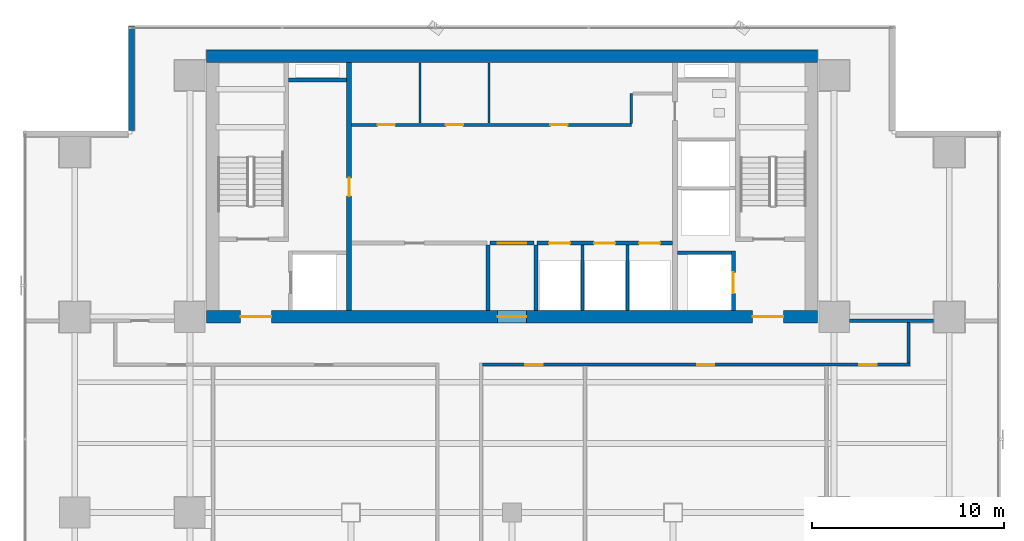
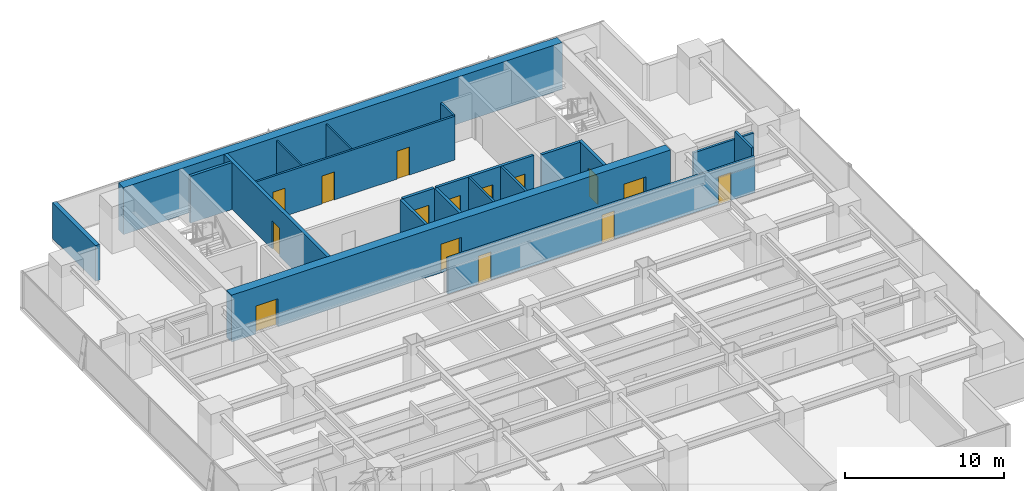
# One storey, part 27 of 34: 20 walls, 15 doors, 15 openings.
"""IFC4 building model written with IfcOpenShell, lengths in metres."""

from ifc_helpers import new_model, si_unit, direction, frame, frame_2d, origin, place, context, subcontext, project, spatial, rectangle, extrude, source, transform, mapped, material, layer, layer_set, type_object, element, fill, save


model = new_model("IFC4")

# Units and contexts
model_context = context("Model", 3, precision=1e-05, world=origin(), true_north=direction((0.0, 1.0)))
body_context = subcontext(model_context, "Body", "Model", "MODEL_VIEW")
ifc_project = project(units=[si_unit("LENGTHUNIT", "METRE"), si_unit("AREAUNIT", "SQUARE_METRE"), si_unit("VOLUMEUNIT", "CUBIC_METRE"), si_unit("PLANEANGLEUNIT", "RADIAN"), si_unit("MASSUNIT", "GRAM", prefix="KILO")], contexts=[model_context])

# Site, building, storey
site_placement = place(None, origin())
site = spatial("IfcSite", under=ifc_project, at=site_placement, CompositionType="ELEMENT")
building_placement = place(site_placement, origin())
building = spatial("IfcBuilding", under=site, at=building_placement, Name="Sumidabori Civic Tower", CompositionType="ELEMENT")
storey_placement = place(building_placement, frame((0.0, 0.0, 106.39990234375)))
storey = spatial("IfcBuildingStorey", under=building, at=storey_placement, Name="L27", CompositionType="ELEMENT", Elevation=106.39990234375)

# Walls
ifc_material_1 = material(Name="Concrete C50/60", Category="concrete")
ifc_layer_1 = layer(ifc_material_1, 0.199951171875, Name="Concrete C50/60")
ifc_layer_set_1 = layer_set([ifc_layer_1], Name="Concrete C50/60")
wall_type_1 = type_object("IfcWallType", Name="WL-SHAFT-200", PredefinedType="SHEAR", material=ifc_layer_set_1)
shared_shape_1 = source(origin(), body_context, "Body", "SweptSolid", [
    extrude(rectangle(XDim=2.824951171875, YDim=0.199951171875, at=frame_2d((1.41259765625, 0.0))), origin(), (0.0, 0.0, 1.0), 3.60009765625),
])
wall_1_placement = place(storey_placement, frame((8.625, 13.550048828125, 0.0), z_axis=(0.0, 0.0, 1.0), x_axis=(1.0, 0.0, 0.0)))
element("IfcWall", 1, at=wall_1_placement, inside=storey, type_object=wall_type_1, Name="Core Shear Wall L27 EL2-N", PredefinedType="SHEAR", context=body_context, shape_type="MappedRepresentation", body=[
    mapped(shared_shape_1, transform((0.0, 0.0, 0.0), x_axis=(1.0, 0.0, 0.0), y_axis=(0.0, 1.0, 0.0), z_axis=(0.0, 0.0, 1.0), scale=1.0)),
])
shared_shape_2 = source(origin(), body_context, "Body", "SweptSolid", [
    extrude(rectangle(XDim=3.02001953125, YDim=0.199951171875, at=frame_2d((1.510009765625, 0.0))), origin(), (0.0, 0.0, 1.0), 3.60009765625),
])
wall_2_placement = place(storey_placement, frame((-11.64501953125, 22.550048828125, 0.0), z_axis=(0.0, 0.0, 1.0), x_axis=(1.0, 0.0, 0.0)))
element("IfcWall", 2, at=wall_2_placement, inside=storey, type_object=wall_type_1, Name="Core Shear Wall L27 RIS1-S", PredefinedType="SHEAR", context=body_context, shape_type="MappedRepresentation", body=[
    mapped(shared_shape_2, transform((0.0, 0.0, 0.0), x_axis=(1.0, 0.0, 0.0), y_axis=(0.0, 1.0, 0.0), z_axis=(0.0, 0.0, 1.0), scale=1.0)),
])
ifc_material_2 = material(Name="Concrete C60/75", Category="concrete")
ifc_layer_2 = layer(ifc_material_2, 0.64990234375, Name="Concrete C60/75")
ifc_layer_set_2 = layer_set([ifc_layer_2], Name="Concrete C60/75")
wall_type_2 = type_object("IfcWallType", Name="WL-CORE-650", PredefinedType="SHEAR", material=ifc_layer_set_2)
shared_shape_3 = source(origin(), body_context, "Body", "SweptSolid", [
    extrude(rectangle(XDim=31.85009765625, YDim=0.64990234375, at=frame_2d((15.925048828125, 0.0))), origin(), (0.0, 0.0, 1.0), 3.60009765625),
])
wall_3_placement = place(storey_placement, frame((-15.925048828125, 23.800048828125, 0.0), z_axis=(0.0, 0.0, 1.0), x_axis=(1.0, 0.0, 0.0)))
element("IfcWall", 3, at=wall_3_placement, inside=storey, type_object=wall_type_2, Name="Core Shear Wall L27 N", PredefinedType="SHEAR", context=body_context, shape_type="MappedRepresentation", body=[
    mapped(shared_shape_3, transform((0.0, 0.0, 0.0), x_axis=(1.0, 0.0, 0.0), y_axis=(0.0, 1.0, 0.0), z_axis=(0.0, 0.0, 1.0), scale=1.0)),
])

# Wall, openings, doors
wall_4_placement = place(storey_placement, frame((-15.925048828125, 10.199951171875, 0.0), z_axis=(0.0, 0.0, 1.0), x_axis=(1.0, 0.0, 0.0)))
wall_4 = element("IfcWall", 4, at=wall_4_placement, inside=storey, type_object=wall_type_2, Name="Core Shear Wall L27 S", PredefinedType="SHEAR", context=body_context, shape_type="MappedRepresentation", body=[
    mapped(shared_shape_3, transform((0.0, 0.0, 0.0), x_axis=(1.0, 0.0, 0.0), y_axis=(0.0, 1.0, 0.0), z_axis=(0.0, 0.0, 1.0), scale=1.0)),
])
opening_1_placement = place(wall_4_placement, frame((1.77490234375, 0.0, 0.0)))
opening_1 = element("IfcOpeningElement", 5, at=opening_1_placement, cuts=wall_4, Name="Opening DR-FD4", PredefinedType="OPENING", context=body_context, shape_type="SweptSolid", body=[
    extrude(rectangle(XDim=1.60009765625, YDim=2.14990234375, at=frame_2d((0.800048828125, 1.074951171875))), frame((0.0, 0.3369140625, 0.0), z_axis=(0.0, -1.0, 0.0), x_axis=(1.0, 0.0, 0.0)), (0.0, 0.0, 1.0), 0.673828125),
])
opening_2_placement = place(wall_4_placement, frame((28.47509765625, 0.0, 0.0)))
opening_2 = element("IfcOpeningElement", 6, at=opening_2_placement, cuts=wall_4, Name="Opening DR-FD4", PredefinedType="OPENING", context=body_context, shape_type="SweptSolid", body=[
    extrude(rectangle(XDim=1.60009765625, YDim=2.14990234375, at=frame_2d((0.800048828125, 1.074951171875))), frame((0.0, 0.3369140625, 0.0), z_axis=(0.0, -1.0, 0.0), x_axis=(1.0, 0.0, 0.0)), (0.0, 0.0, 1.0), 0.673828125),
])
opening_3_placement = place(wall_4_placement, frame((15.175048828125, 0.0, 0.0)))
opening_3 = element("IfcOpeningElement", 7, at=opening_3_placement, cuts=wall_4, Name="Opening DR-FD3", PredefinedType="OPENING", context=body_context, shape_type="SweptSolid", body=[
    extrude(rectangle(XDim=1.5, YDim=2.199951171875, at=frame_2d((0.75, 1.10009765625))), frame((0.0, 0.3369140625, 0.0), z_axis=(0.0, -1.0, 0.0), x_axis=(1.0, 0.0, 0.0)), (0.0, 0.0, 1.0), 0.673828125),
])
ifc_material_3 = material(Name="Steel SN490", Category="steel")
door_type_1 = type_object("IfcDoorType", Name="DR-FD4", OperationType="DOUBLE_DOOR_SINGLE_SWING", PredefinedType="DOOR", material=ifc_material_3)
shared_shape_4 = source(origin(), body_context, "Body", "SweptSolid", [
    extrude(rectangle(XDim=1.60009765625, YDim=2.14990234375, at=frame_2d((0.800048828125, 1.074951171875))), frame((0.0, 0.02490234375, 0.0), z_axis=(0.0, -1.0, 0.0), x_axis=(1.0, 0.0, 0.0)), (0.0, 0.0, 1.0), 0.050048828125),
])
door_1_placement = place(opening_1_placement, origin())
door_1 = element("IfcDoor", 8, at=door_1_placement, inside=storey, type_object=door_type_1, Name="Door DR:L27:ELOB-W", OperationType="DOUBLE_DOOR_SINGLE_SWING", OverallHeight=2.14990234375, OverallWidth=1.60009765625, PredefinedType="DOOR", context=body_context, shape_type="MappedRepresentation", body=[
    mapped(shared_shape_4, transform((0.0, 0.0, 0.0), x_axis=(1.0, 0.0, 0.0), y_axis=(0.0, 1.0, 0.0), z_axis=(0.0, 0.0, 1.0), scale=1.0)),
])
fill(opening_1, door_1)
door_2_placement = place(opening_2_placement, origin())
door_2 = element("IfcDoor", 9, at=door_2_placement, inside=storey, type_object=door_type_1, Name="Door DR:L27:ELOB-E", OperationType="DOUBLE_DOOR_SINGLE_SWING", OverallHeight=2.14990234375, OverallWidth=1.60009765625, PredefinedType="DOOR", context=body_context, shape_type="MappedRepresentation", body=[
    mapped(shared_shape_4, transform((0.0, 0.0, 0.0), x_axis=(1.0, 0.0, 0.0), y_axis=(0.0, 1.0, 0.0), z_axis=(0.0, 0.0, 1.0), scale=1.0)),
])
fill(opening_2, door_2)
door_type_2 = type_object("IfcDoorType", Name="DR-FD-DBL", OperationType="DOUBLE_DOOR_SINGLE_SWING", PredefinedType="DOOR", material=ifc_material_3)
shared_shape_5 = source(origin(), body_context, "Body", "SweptSolid", [
    extrude(rectangle(XDim=1.5, YDim=2.199951171875, at=frame_2d((0.75, 1.10009765625))), frame((0.0, 0.02490234375, 0.0), z_axis=(0.0, -1.0, 0.0), x_axis=(1.0, 0.0, 0.0)), (0.0, 0.0, 1.0), 0.050048828125),
])
door_3_placement = place(opening_3_placement, origin())
door_3 = element("IfcDoor", 10, at=door_3_placement, inside=storey, type_object=door_type_2, Name="Door DR:L27:THROAT-OUT", OperationType="DOUBLE_DOOR_SINGLE_SWING", OverallHeight=2.199951171875, OverallWidth=1.5, PredefinedType="DOOR", context=body_context, shape_type="MappedRepresentation", body=[
    mapped(shared_shape_5, transform((0.0, 0.0, 0.0), x_axis=(1.0, 0.0, 0.0), y_axis=(0.0, 1.0, 0.0), z_axis=(0.0, 0.0, 1.0), scale=1.0)),
])
fill(opening_3, door_3)

# Wall, opening, door
ifc_layer_3 = layer(ifc_material_1, 0.25, Name="Concrete C50/60")
ifc_layer_set_3 = layer_set([ifc_layer_3], Name="Concrete C50/60")
wall_type_3 = type_object("IfcWallType", Name="WL-SHAFT-250", PredefinedType="SHEAR", material=ifc_layer_set_3)
shared_shape_6 = source(origin(), body_context, "Body", "SweptSolid", [
    extrude(rectangle(XDim=12.9501953125, YDim=0.25, at=frame_2d((6.47509765625, 0.0))), origin(), (0.0, 0.0, 1.0), 3.60009765625),
])
wall_5_placement = place(storey_placement, frame((-8.5, 10.52490234375, 0.0), z_axis=(0.0, 0.0, 1.0), x_axis=(0.0, 1.0, 0.0)))
wall_5 = element("IfcWall", 11, at=wall_5_placement, inside=storey, type_object=wall_type_3, Name="Core Shear Wall L27 WEB-W", PredefinedType="SHEAR", context=body_context, shape_type="MappedRepresentation", body=[
    mapped(shared_shape_6, transform((0.0, 0.0, 0.0), x_axis=(1.0, 0.0, 0.0), y_axis=(0.0, 1.0, 0.0), z_axis=(0.0, 0.0, 1.0), scale=1.0)),
])
opening_4_placement = place(wall_5_placement, frame((5.97509765625, 0.0, 0.0)))
opening_4 = element("IfcOpeningElement", 12, at=opening_4_placement, cuts=wall_5, Name="Opening DR-FD2", PredefinedType="OPENING", context=body_context, shape_type="SweptSolid", body=[
    extrude(rectangle(XDim=0.949951171875, YDim=2.14990234375, at=frame_2d((0.47509765625, 1.074951171875))), frame((0.0, 0.136962890625, 0.0), z_axis=(0.0, -1.0, 0.0), x_axis=(1.0, 0.0, 0.0)), (0.0, 0.0, 1.0), 0.27392578125),
])
door_type_3 = type_object("IfcDoorType", Name="DR-FD2", OperationType="NOTDEFINED", PredefinedType="DOOR", material=ifc_material_3)
shared_shape_7 = source(origin(), body_context, "Body", "SweptSolid", [
    extrude(rectangle(XDim=0.949951171875, YDim=2.14990234375, at=frame_2d((0.47509765625, 1.074951171875))), frame((0.0, 0.02490234375, 0.0), z_axis=(0.0, -1.0, 0.0), x_axis=(1.0, 0.0, 0.0)), (0.0, 0.0, 1.0), 0.050048828125),
])
door_4_placement = place(opening_4_placement, origin())
door_4 = element("IfcDoor", 13, at=door_4_placement, inside=storey, type_object=door_type_3, Name="Door DR:L27:CW-STR", OperationType="SINGLE_SWING_LEFT", OverallHeight=2.14990234375, OverallWidth=0.949951171875, PredefinedType="DOOR", context=body_context, shape_type="MappedRepresentation", body=[
    mapped(shared_shape_7, transform((0.0, 0.0, 0.0), x_axis=(1.0, 0.0, 0.0), y_axis=(0.0, 1.0, 0.0), z_axis=(0.0, 0.0, 1.0), scale=1.0)),
])
fill(opening_4, door_4)

shared_shape_8 = source(origin(), body_context, "Body", "SweptSolid", [
    extrude(rectangle(XDim=3.125, YDim=0.199951171875, at=frame_2d((1.5625, 0.0))), origin(), (0.0, 0.0, 1.0), 3.60009765625),
])
wall_6_placement = place(storey_placement, frame((11.550048828125, 10.52490234375, 0.0), z_axis=(0.0, 0.0, 1.0), x_axis=(0.0, 1.0, 0.0)))
wall_6 = element("IfcWall", 14, at=wall_6_placement, inside=storey, type_object=wall_type_1, Name="Core Shear Wall L27 EL2-E", PredefinedType="SHEAR", context=body_context, shape_type="MappedRepresentation", body=[
    mapped(shared_shape_8, transform((0.0, 0.0, 0.0), x_axis=(1.0, 0.0, 0.0), y_axis=(0.0, 1.0, 0.0), z_axis=(0.0, 0.0, 1.0), scale=1.0)),
])
opening_5_placement = place(wall_6_placement, frame((0.89990234375, 0.0, 0.0)))
opening_5 = element("IfcOpeningElement", 15, at=opening_5_placement, cuts=wall_6, Name="Opening LD-2", PredefinedType="OPENING", context=body_context, shape_type="SweptSolid", body=[
    extrude(rectangle(XDim=1.10009765625, YDim=2.14990234375, at=frame_2d((0.550048828125, 1.074951171875))), frame((0.0, 0.11181640625, 0.0), z_axis=(0.0, -1.0, 0.0), x_axis=(1.0, 0.0, 0.0)), (0.0, 0.0, 1.0), 0.223876953125),
])
ifc_material_4 = material(Name="Stainless Steel Hairline Finish", Category="steel")
door_type_4 = type_object("IfcDoorType", Name="DR-LD2", OperationType="DOUBLE_DOOR_SLIDING", PredefinedType="DOOR", material=ifc_material_4)
shared_shape_9 = source(origin(), body_context, "Body", "SweptSolid", [
    extrude(rectangle(XDim=1.10009765625, YDim=2.14990234375, at=frame_2d((0.550048828125, 1.074951171875))), frame((0.0, 0.02490234375, 0.0), z_axis=(0.0, -1.0, 0.0), x_axis=(1.0, 0.0, 0.0)), (0.0, 0.0, 1.0), 0.050048828125),
])
door_5_placement = place(opening_5_placement, origin())
door_5 = element("IfcDoor", 16, at=door_5_placement, inside=storey, type_object=door_type_4, Name="Door DR:L27:LD-EL2", OperationType="DOUBLE_DOOR_SLIDING", OverallHeight=2.14990234375, OverallWidth=1.10009765625, PredefinedType="DOOR", context=body_context, shape_type="MappedRepresentation", body=[
    mapped(shared_shape_9, transform((0.0, 0.0, 0.0), x_axis=(1.0, 0.0, 0.0), y_axis=(0.0, 1.0, 0.0), z_axis=(0.0, 0.0, 1.0), scale=1.0)),
])
fill(opening_5, door_5)

# Wall
ifc_material_5 = material(Name="Precast concrete C40/50", Category="concrete")
ifc_layer_4 = layer(ifc_material_5, 0.300048828125, Name="Precast concrete C40/50")
ifc_layer_set_4 = layer_set([ifc_layer_4], Name="Precast concrete C40/50")
wall_type_4 = type_object("IfcWallType", Name="WL-EXT-POD300", PredefinedType="STANDARD", material=ifc_layer_set_4)
shared_shape_10 = source(origin(), body_context, "Body", "SweptSolid", [
    extrude(rectangle(XDim=5.4599609375, YDim=0.300048828125, at=frame_2d((2.72998046875, 0.0))), origin(), (0.0, 0.0, 1.0), 2.739990234375),
])
wall_7_placement = place(storey_placement, frame((-19.85009765625, 25.3798828125, 0.0), z_axis=(0.0, 0.0, 1.0), x_axis=(0.0, -1.0, 0.0)))
element("IfcWall", 17, at=wall_7_placement, inside=storey, type_object=wall_type_4, Name="Notched Corner Spandrel Band L27-08", PredefinedType="STANDARD", context=body_context, shape_type="MappedRepresentation", body=[
    mapped(shared_shape_10, transform((0.0, 0.0, 0.0), x_axis=(1.0, 0.0, 0.0), y_axis=(0.0, 1.0, 0.0), z_axis=(0.0, 0.0, 1.0), scale=1.0)),
])

# Wall, openings, doors
ifc_material_6 = material(Name="Gypsum Plasterboard Fire Partition")
ifc_layer_5 = layer(ifc_material_6, 0.199951171875, Name="Gypsum Plasterboard Fire Partition")
ifc_layer_set_5 = layer_set([ifc_layer_5], Name="Gypsum Plasterboard Fire Partition")
wall_type_5 = type_object("IfcWallType", Name="WL-PART-FIRE", PredefinedType="PARTITIONING", material=ifc_layer_set_5)
shared_shape_11 = source(origin(), body_context, "Body", "SweptSolid", [
    extrude(rectangle(XDim=7.070068359375, YDim=0.199951171875, at=frame_2d((3.53515625, 0.0))), origin(), (0.0, 0.0, 1.0), 3.360107421875),
])
wall_8_placement = place(storey_placement, frame((1.300048828125, 14.050048828125, 0.0), z_axis=(0.0, 0.0, 1.0), x_axis=(1.0, 0.0, 0.0)))
wall_8 = element("IfcWall", 18, at=wall_8_placement, inside=storey, type_object=wall_type_5, Name="Interior Partition WL:L27:CBAND-SE", PredefinedType="PARTITIONING", context=body_context, shape_type="MappedRepresentation", body=[
    mapped(shared_shape_11, transform((0.0, 0.0, 0.0), x_axis=(1.0, 0.0, 0.0), y_axis=(0.0, 1.0, 0.0), z_axis=(0.0, 0.0, 1.0), scale=1.0)),
])
opening_6_placement = place(wall_8_placement, frame((0.6298828125, 0.0, 0.0)))
opening_6 = element("IfcOpeningElement", 19, at=opening_6_placement, cuts=wall_8, Name="Opening LD-1", PredefinedType="OPENING", context=body_context, shape_type="SweptSolid", body=[
    extrude(rectangle(XDim=1.10009765625, YDim=2.14990234375, at=frame_2d((0.550048828125, 1.074951171875))), frame((0.0, 0.11181640625, 0.0), z_axis=(0.0, -1.0, 0.0), x_axis=(1.0, 0.0, 0.0)), (0.0, 0.0, 1.0), 0.223876953125),
])
opening_7_placement = place(wall_8_placement, frame((2.97998046875, 0.0, 0.0)))
opening_7 = element("IfcOpeningElement", 20, at=opening_7_placement, cuts=wall_8, Name="Opening LD-1", PredefinedType="OPENING", context=body_context, shape_type="SweptSolid", body=[
    extrude(rectangle(XDim=1.10009765625, YDim=2.14990234375, at=frame_2d((0.550048828125, 1.074951171875))), frame((0.0, 0.11181640625, 0.0), z_axis=(0.0, -1.0, 0.0), x_axis=(1.0, 0.0, 0.0)), (0.0, 0.0, 1.0), 0.223876953125),
])
opening_8_placement = place(wall_8_placement, frame((5.330078125, 0.0, 0.0)))
opening_8 = element("IfcOpeningElement", 21, at=opening_8_placement, cuts=wall_8, Name="Opening LD-1", PredefinedType="OPENING", context=body_context, shape_type="SweptSolid", body=[
    extrude(rectangle(XDim=1.10009765625, YDim=2.14990234375, at=frame_2d((0.550048828125, 1.074951171875))), frame((0.0, 0.11181640625, 0.0), z_axis=(0.0, -1.0, 0.0), x_axis=(1.0, 0.0, 0.0)), (0.0, 0.0, 1.0), 0.223876953125),
])
door_type_5 = type_object("IfcDoorType", Name="DR-LD1", OperationType="DOUBLE_DOOR_SLIDING", PredefinedType="DOOR", material=ifc_material_4)
door_6_placement = place(opening_6_placement, origin())
door_6 = element("IfcDoor", 22, at=door_6_placement, inside=storey, type_object=door_type_5, Name="Door DR:L27:LD-PLM1", OperationType="DOUBLE_DOOR_SLIDING", OverallHeight=2.14990234375, OverallWidth=1.10009765625, PredefinedType="DOOR", context=body_context, shape_type="MappedRepresentation", body=[
    mapped(shared_shape_9, transform((0.0, 0.0, 0.0), x_axis=(1.0, 0.0, 0.0), y_axis=(0.0, 1.0, 0.0), z_axis=(0.0, 0.0, 1.0), scale=1.0)),
])
fill(opening_6, door_6)
door_7_placement = place(opening_7_placement, origin())
door_7 = element("IfcDoor", 23, at=door_7_placement, inside=storey, type_object=door_type_5, Name="Door DR:L27:LD-PLM2", OperationType="DOUBLE_DOOR_SLIDING", OverallHeight=2.14990234375, OverallWidth=1.10009765625, PredefinedType="DOOR", context=body_context, shape_type="MappedRepresentation", body=[
    mapped(shared_shape_9, transform((0.0, 0.0, 0.0), x_axis=(1.0, 0.0, 0.0), y_axis=(0.0, 1.0, 0.0), z_axis=(0.0, 0.0, 1.0), scale=1.0)),
])
fill(opening_7, door_7)
door_8_placement = place(opening_8_placement, origin())
door_8 = element("IfcDoor", 24, at=door_8_placement, inside=storey, type_object=door_type_5, Name="Door DR:L27:LD-PLM3", OperationType="DOUBLE_DOOR_SLIDING", OverallHeight=2.14990234375, OverallWidth=1.10009765625, PredefinedType="DOOR", context=body_context, shape_type="MappedRepresentation", body=[
    mapped(shared_shape_9, transform((0.0, 0.0, 0.0), x_axis=(1.0, 0.0, 0.0), y_axis=(0.0, 1.0, 0.0), z_axis=(0.0, 0.0, 1.0), scale=1.0)),
])
fill(opening_8, door_8)

# Wall, opening, door
shared_shape_12 = source(origin(), body_context, "Body", "SweptSolid", [
    extrude(rectangle(XDim=2.2998046875, YDim=0.199951171875, at=frame_2d((1.14990234375, 0.0))), origin(), (0.0, 0.0, 1.0), 3.360107421875),
])
wall_9_placement = place(storey_placement, frame((-1.14990234375, 14.050048828125, 0.0), z_axis=(0.0, 0.0, 1.0), x_axis=(1.0, 0.0, 0.0)))
wall_9 = element("IfcWall", 25, at=wall_9_placement, inside=storey, type_object=wall_type_5, Name="Interior Partition WL:L27:THROAT-N", PredefinedType="PARTITIONING", context=body_context, shape_type="MappedRepresentation", body=[
    mapped(shared_shape_12, transform((0.0, 0.0, 0.0), x_axis=(1.0, 0.0, 0.0), y_axis=(0.0, 1.0, 0.0), z_axis=(0.0, 0.0, 1.0), scale=1.0)),
])
opening_9_placement = place(wall_9_placement, frame((0.39990234375, 0.0, 0.0)))
opening_9 = element("IfcOpeningElement", 26, at=opening_9_placement, cuts=wall_9, Name="Opening DR-FD3", PredefinedType="OPENING", context=body_context, shape_type="SweptSolid", body=[
    extrude(rectangle(XDim=1.5, YDim=2.199951171875, at=frame_2d((0.75, 1.10009765625))), frame((0.0, 0.11181640625, 0.0), z_axis=(0.0, -1.0, 0.0), x_axis=(1.0, 0.0, 0.0)), (0.0, 0.0, 1.0), 0.223876953125),
])
door_9_placement = place(opening_9_placement, origin())
door_9 = element("IfcDoor", 27, at=door_9_placement, inside=storey, type_object=door_type_2, Name="Door DR:L27:THROAT-IN", OperationType="DOUBLE_DOOR_SINGLE_SWING", OverallHeight=2.199951171875, OverallWidth=1.5, PredefinedType="DOOR", context=body_context, shape_type="MappedRepresentation", body=[
    mapped(shared_shape_5, transform((0.0, 0.0, 0.0), x_axis=(1.0, 0.0, 0.0), y_axis=(0.0, 1.0, 0.0), z_axis=(0.0, 0.0, 1.0), scale=1.0)),
])
fill(opening_9, door_9)

# Wall, openings, doors
ifc_material_7 = material(Name="Gypsum Plasterboard Acoustic Partition")
ifc_layer_6 = layer(ifc_material_7, 0.14990234375, Name="Gypsum Plasterboard Acoustic Partition")
ifc_layer_set_6 = layer_set([ifc_layer_6], Name="Gypsum Plasterboard Acoustic Partition")
wall_type_6 = type_object("IfcWallType", Name="WL-PART-150", PredefinedType="PARTITIONING", material=ifc_layer_set_6)
shared_shape_13 = source(origin(), body_context, "Body", "SweptSolid", [
    extrude(rectangle(XDim=14.590087890625, YDim=0.14990234375, at=frame_2d((7.294921875, 0.0))), origin(), (0.0, 0.0, 1.0), 3.360107421875),
])
wall_10_placement = place(storey_placement, frame((-8.3701171875, 20.219970703125, 0.0), z_axis=(0.0, 0.0, 1.0), x_axis=(1.0, 0.0, 0.0)))
wall_10 = element("IfcWall", 28, at=wall_10_placement, inside=storey, type_object=wall_type_6, Name="Interior Partition WL:L27:CBAND-M", PredefinedType="PARTITIONING", context=body_context, shape_type="MappedRepresentation", body=[
    mapped(shared_shape_13, transform((0.0, 0.0, 0.0), x_axis=(1.0, 0.0, 0.0), y_axis=(0.0, 1.0, 0.0), z_axis=(0.0, 0.0, 1.0), scale=1.0)),
])
opening_10_placement = place(wall_10_placement, frame((1.360107421875, 0.0, 0.0)))
opening_10 = element("IfcOpeningElement", 29, at=opening_10_placement, cuts=wall_10, Name="Opening DR-1", PredefinedType="OPENING", context=body_context, shape_type="SweptSolid", body=[
    extrude(rectangle(XDim=0.89990234375, YDim=2.14990234375, at=frame_2d((0.449951171875, 1.074951171875))), frame((0.0, 0.0869140625, 0.0), z_axis=(0.0, -1.0, 0.0), x_axis=(1.0, 0.0, 0.0)), (0.0, 0.0, 1.0), 0.173828125),
])
opening_11_placement = place(wall_10_placement, frame((4.919921875, 0.0, 0.0)))
opening_11 = element("IfcOpeningElement", 30, at=opening_11_placement, cuts=wall_10, Name="Opening DR-1", PredefinedType="OPENING", context=body_context, shape_type="SweptSolid", body=[
    extrude(rectangle(XDim=0.89990234375, YDim=2.14990234375, at=frame_2d((0.449951171875, 1.074951171875))), frame((0.0, 0.0869140625, 0.0), z_axis=(0.0, -1.0, 0.0), x_axis=(1.0, 0.0, 0.0)), (0.0, 0.0, 1.0), 0.173828125),
])
opening_12_placement = place(wall_10_placement, frame((10.3701171875, 0.0, 0.0)))
opening_12 = element("IfcOpeningElement", 31, at=opening_12_placement, cuts=wall_10, Name="Opening DR-1", PredefinedType="OPENING", context=body_context, shape_type="SweptSolid", body=[
    extrude(rectangle(XDim=0.89990234375, YDim=2.14990234375, at=frame_2d((0.449951171875, 1.074951171875))), frame((0.0, 0.0869140625, 0.0), z_axis=(0.0, -1.0, 0.0), x_axis=(1.0, 0.0, 0.0)), (0.0, 0.0, 1.0), 0.173828125),
])
ifc_material_8 = material(Name="Japanese Hinoki Timber", Category="wood")
door_type_6 = type_object("IfcDoorType", Name="DR-INT-900", OperationType="NOTDEFINED", PredefinedType="DOOR", material=ifc_material_8)
shared_shape_14 = source(origin(), body_context, "Body", "SweptSolid", [
    extrude(rectangle(XDim=0.89990234375, YDim=2.14990234375, at=frame_2d((0.449951171875, 1.074951171875))), frame((0.0, 0.02490234375, 0.0), z_axis=(0.0, -1.0, 0.0), x_axis=(1.0, 0.0, 0.0)), (0.0, 0.0, 1.0), 0.050048828125),
])
door_10_placement = place(opening_10_placement, origin())
door_10 = element("IfcDoor", 32, at=door_10_placement, inside=storey, type_object=door_type_6, Name="Door DR:L27:CB-1", OperationType="SINGLE_SWING_LEFT", OverallHeight=2.14990234375, OverallWidth=0.89990234375, PredefinedType="DOOR", context=body_context, shape_type="MappedRepresentation", body=[
    mapped(shared_shape_14, transform((0.0, 0.0, 0.0), x_axis=(1.0, 0.0, 0.0), y_axis=(0.0, 1.0, 0.0), z_axis=(0.0, 0.0, 1.0), scale=1.0)),
])
fill(opening_10, door_10)
door_11_placement = place(opening_11_placement, origin())
door_11 = element("IfcDoor", 33, at=door_11_placement, inside=storey, type_object=door_type_6, Name="Door DR:L27:CB-2", OperationType="SINGLE_SWING_RIGHT", OverallHeight=2.14990234375, OverallWidth=0.89990234375, PredefinedType="DOOR", context=body_context, shape_type="MappedRepresentation", body=[
    mapped(shared_shape_14, transform((0.0, 0.0, 0.0), x_axis=(1.0, 0.0, 0.0), y_axis=(0.0, 1.0, 0.0), z_axis=(0.0, 0.0, 1.0), scale=1.0)),
])
fill(opening_11, door_11)
door_12_placement = place(opening_12_placement, origin())
door_12 = element("IfcDoor", 34, at=door_12_placement, inside=storey, type_object=door_type_6, Name="Door DR:L27:CB-3", OperationType="SINGLE_SWING_LEFT", OverallHeight=2.14990234375, OverallWidth=0.89990234375, PredefinedType="DOOR", context=body_context, shape_type="MappedRepresentation", body=[
    mapped(shared_shape_14, transform((0.0, 0.0, 0.0), x_axis=(1.0, 0.0, 0.0), y_axis=(0.0, 1.0, 0.0), z_axis=(0.0, 0.0, 1.0), scale=1.0)),
])
fill(opening_12, door_12)

# Walls
shared_shape_15 = source(origin(), body_context, "Body", "SweptSolid", [
    extrude(rectangle(XDim=1.550048828125, YDim=0.14990234375, at=frame_2d((0.77490234375, 0.0))), origin(), (0.0, 0.0, 1.0), 3.360107421875),
])
wall_11_placement = place(storey_placement, frame((6.219970703125, 20.300048828125, 0.0), z_axis=(0.0, 0.0, 1.0), x_axis=(0.0, 1.0, 0.0)))
element("IfcWall", 35, at=wall_11_placement, inside=storey, type_object=wall_type_6, Name="Interior Partition WL:L27:CBAND-ME1", PredefinedType="PARTITIONING", context=body_context, shape_type="MappedRepresentation", body=[
    mapped(shared_shape_15, transform((0.0, 0.0, 0.0), x_axis=(1.0, 0.0, 0.0), y_axis=(0.0, 1.0, 0.0), z_axis=(0.0, 0.0, 1.0), scale=1.0)),
])
shared_shape_16 = source(origin(), body_context, "Body", "SweptSolid", [
    extrude(rectangle(XDim=3.4150390625, YDim=0.199951171875, at=frame_2d((1.70751953125, 0.0))), origin(), (0.0, 0.0, 1.0), 3.360107421875),
])
for number, where, z_axis, x_axis, name in (
    (36, (-1.25, 10.52490234375, 0.0), (0.0, 0.0, 1.0), (0.0, 1.0, 0.0), "Interior Partition WL:L27:THROAT-W"),
    (37, (1.25, 10.52490234375, 0.0), (0.0, 0.0, 1.0), (0.0, 1.0, 0.0), "Interior Partition WL:L27:THROAT-E"),
):
    element("IfcWall", number, at=place(storey_placement, frame(where, z_axis=z_axis, x_axis=x_axis)), inside=storey, type_object=wall_type_5, Name=name, PredefinedType="PARTITIONING", context=body_context, shape_type="MappedRepresentation", body=[
        mapped(shared_shape_16, transform((0.0, 0.0, 0.0), x_axis=(1.0, 0.0, 0.0), y_axis=(0.0, 1.0, 0.0), z_axis=(0.0, 0.0, 1.0), scale=1.0)),
    ])
shared_shape_17 = source(origin(), body_context, "Body", "SweptSolid", [
    extrude(rectangle(XDim=3.4150390625, YDim=0.14990234375, at=frame_2d((1.70751953125, 0.0))), origin(), (0.0, 0.0, 1.0), 3.360107421875),
])
for number, where, z_axis, x_axis, name in (
    (38, (3.669921875, 10.52490234375, 0.0), (0.0, 0.0, 1.0), (0.0, 1.0, 0.0), "Interior Partition WL:L27:DIV-PLM1"),
    (39, (6.02001953125, 10.52490234375, 0.0), (0.0, 0.0, 1.0), (0.0, 1.0, 0.0), "Interior Partition WL:L27:DIV-PLM2"),
):
    element("IfcWall", number, at=place(storey_placement, frame(where, z_axis=z_axis, x_axis=x_axis)), inside=storey, type_object=wall_type_6, Name=name, PredefinedType="PARTITIONING", context=body_context, shape_type="MappedRepresentation", body=[
        mapped(shared_shape_17, transform((0.0, 0.0, 0.0), x_axis=(1.0, 0.0, 0.0), y_axis=(0.0, 1.0, 0.0), z_axis=(0.0, 0.0, 1.0), scale=1.0)),
    ])
ifc_layer_7 = layer(ifc_material_7, 0.1201171875, Name="Gypsum Plasterboard Acoustic Partition")
ifc_layer_set_7 = layer_set([ifc_layer_7], Name="Gypsum Plasterboard Acoustic Partition")
wall_type_7 = type_object("IfcWallType", Name="WL-PART-120", PredefinedType="PARTITIONING", material=ifc_layer_set_7)
shared_shape_18 = source(origin(), body_context, "Body", "SweptSolid", [
    extrude(rectangle(XDim=3.114990234375, YDim=0.1201171875, at=frame_2d((1.5576171875, 0.0))), origin(), (0.0, 0.0, 1.0), 3.360107421875),
])
for number, where, z_axis, x_axis, name in (
    (40, (-4.800048828125, 20.320068359375, 0.0), (0.0, 0.0, 1.0), (0.0, 1.0, 0.0), "Interior Partition WL:L27:LV8-S1"),
    (41, (-1.199951171875, 20.320068359375, 0.0), (0.0, 0.0, 1.0), (0.0, 1.0, 0.0), "Interior Partition WL:L27:LV8-S2"),
):
    element("IfcWall", number, at=place(storey_placement, frame(where, z_axis=z_axis, x_axis=x_axis)), inside=storey, type_object=wall_type_7, Name=name, PredefinedType="PARTITIONING", context=body_context, shape_type="MappedRepresentation", body=[
        mapped(shared_shape_18, transform((0.0, 0.0, 0.0), x_axis=(1.0, 0.0, 0.0), y_axis=(0.0, 1.0, 0.0), z_axis=(0.0, 0.0, 1.0), scale=1.0)),
    ])
ifc_layer_8 = layer(ifc_material_7, 0.1650390625, Name="Gypsum Plasterboard Acoustic Partition")
ifc_layer_set_8 = layer_set([ifc_layer_8], Name="Gypsum Plasterboard Acoustic Partition")
wall_type_8 = type_object("IfcWallType", Name="WL-PART-165", PredefinedType="PARTITIONING", material=ifc_layer_set_8)
shared_shape_19 = source(origin(), body_context, "Body", "SweptSolid", [
    extrude(rectangle(XDim=4.3798828125, YDim=0.1650390625, at=frame_2d((2.18994140625, 0.0))), origin(), (0.0, 0.0, 1.0), 2.7451171875),
])
wall_12_placement = place(storey_placement, frame((17.610107421875, 10.0, 0.0), z_axis=(0.0, 0.0, 1.0), x_axis=(1.0, 0.0, 0.0)))
element("IfcWall", 42, at=wall_12_placement, inside=storey, type_object=wall_type_8, Name="Interior Partition WL:L27:FLK-NE-1", PredefinedType="PARTITIONING", context=body_context, shape_type="MappedRepresentation", body=[
    mapped(shared_shape_19, transform((0.0, 0.0, 0.0), x_axis=(1.0, 0.0, 0.0), y_axis=(0.0, 1.0, 0.0), z_axis=(0.0, 0.0, 1.0), scale=1.0)),
])

# Wall, openings, doors
shared_shape_20 = source(origin(), body_context, "Body", "SweptSolid", [
    extrude(rectangle(XDim=22.2998046875, YDim=0.1650390625, at=frame_2d((11.14990234375, 0.0))), origin(), (0.0, 0.0, 1.0), 2.7451171875),
])
wall_13_placement = place(storey_placement, frame((-1.534912109375, 7.717529296875, 0.0), z_axis=(0.0, 0.0, 1.0), x_axis=(1.0, 0.0, 0.0)))
wall_13 = element("IfcWall", 43, at=wall_13_placement, inside=storey, type_object=wall_type_8, Name="Interior Partition WL:L27:CORR-SE", PredefinedType="PARTITIONING", context=body_context, shape_type="MappedRepresentation", body=[
    mapped(shared_shape_20, transform((0.0, 0.0, 0.0), x_axis=(1.0, 0.0, 0.0), y_axis=(0.0, 1.0, 0.0), z_axis=(0.0, 0.0, 1.0), scale=1.0)),
])
opening_13_placement = place(wall_13_placement, frame((19.646240234375, 0.0, 0.0)))
opening_13 = element("IfcOpeningElement", 44, at=opening_13_placement, cuts=wall_13, Name="Opening DR-1", PredefinedType="OPENING", context=body_context, shape_type="SweptSolid", body=[
    extrude(rectangle(XDim=0.89990234375, YDim=2.14990234375, at=frame_2d((0.449951171875, 1.074951171875))), frame((0.0, 0.094482421875, 0.0), z_axis=(0.0, -1.0, 0.0), x_axis=(1.0, 0.0, 0.0)), (0.0, 0.0, 1.0), 0.18896484375),
])
opening_14_placement = place(wall_13_placement, frame((2.236083984375, 0.0, 0.0)))
opening_14 = element("IfcOpeningElement", 45, at=opening_14_placement, cuts=wall_13, Name="Opening DR-1", PredefinedType="OPENING", context=body_context, shape_type="SweptSolid", body=[
    extrude(rectangle(XDim=0.89990234375, YDim=2.14990234375, at=frame_2d((0.449951171875, 1.074951171875))), frame((0.0, 0.094482421875, 0.0), z_axis=(0.0, -1.0, 0.0), x_axis=(1.0, 0.0, 0.0)), (0.0, 0.0, 1.0), 0.18896484375),
])
opening_15_placement = place(wall_13_placement, frame((11.18505859375, 0.0, 0.0)))
opening_15 = element("IfcOpeningElement", 46, at=opening_15_placement, cuts=wall_13, Name="Opening DR-1", PredefinedType="OPENING", context=body_context, shape_type="SweptSolid", body=[
    extrude(rectangle(XDim=0.89990234375, YDim=2.14990234375, at=frame_2d((0.449951171875, 1.074951171875))), frame((0.0, 0.094482421875, 0.0), z_axis=(0.0, -1.0, 0.0), x_axis=(1.0, 0.0, 0.0)), (0.0, 0.0, 1.0), 0.18896484375),
])
door_13_placement = place(opening_13_placement, origin())
door_13 = element("IfcDoor", 47, at=door_13_placement, inside=storey, type_object=door_type_6, Name="Door DR:L27:D03", OperationType="SINGLE_SWING_LEFT", OverallHeight=2.14990234375, OverallWidth=0.89990234375, PredefinedType="DOOR", context=body_context, shape_type="MappedRepresentation", body=[
    mapped(shared_shape_14, transform((0.0, 0.0, 0.0), x_axis=(1.0, 0.0, 0.0), y_axis=(0.0, 1.0, 0.0), z_axis=(0.0, 0.0, 1.0), scale=1.0)),
])
fill(opening_13, door_13)
door_14_placement = place(opening_14_placement, origin())
door_14 = element("IfcDoor", 48, at=door_14_placement, inside=storey, type_object=door_type_6, Name="Door DR:L27:D05", OperationType="SINGLE_SWING_LEFT", OverallHeight=2.14990234375, OverallWidth=0.89990234375, PredefinedType="DOOR", context=body_context, shape_type="MappedRepresentation", body=[
    mapped(shared_shape_14, transform((0.0, 0.0, 0.0), x_axis=(1.0, 0.0, 0.0), y_axis=(0.0, 1.0, 0.0), z_axis=(0.0, 0.0, 1.0), scale=1.0)),
])
fill(opening_14, door_14)
door_15_placement = place(opening_15_placement, origin())
door_15 = element("IfcDoor", 49, at=door_15_placement, inside=storey, type_object=door_type_6, Name="Door DR:L27:D06", OperationType="SINGLE_SWING_RIGHT", OverallHeight=2.14990234375, OverallWidth=0.89990234375, PredefinedType="DOOR", context=body_context, shape_type="MappedRepresentation", body=[
    mapped(shared_shape_14, transform((0.0, 0.0, 0.0), x_axis=(1.0, 0.0, 0.0), y_axis=(0.0, 1.0, 0.0), z_axis=(0.0, 0.0, 1.0), scale=1.0)),
])
fill(opening_15, door_15)

# Wall
shared_shape_21 = source(origin(), body_context, "Body", "SweptSolid", [
    extrude(rectangle(XDim=2.107666015625, YDim=0.1650390625, at=frame_2d((1.0537109375, 0.0))), origin(), (0.0, 0.0, 1.0), 3.360107421875),
])
wall_14_placement = place(storey_placement, frame((20.6826171875, 7.804931640625, 0.0), z_axis=(0.0, 0.0, 1.0), x_axis=(0.0, 1.0, 0.0)))
element("IfcWall", 50, at=wall_14_placement, inside=storey, type_object=wall_type_8, Name="Interior Partition WL:L27:CORR-VNE", PredefinedType="PARTITIONING", context=body_context, shape_type="MappedRepresentation", body=[
    mapped(shared_shape_21, transform((0.0, 0.0, 0.0), x_axis=(1.0, 0.0, 0.0), y_axis=(0.0, 1.0, 0.0), z_axis=(0.0, 0.0, 1.0), scale=1.0)),
])

save(model, "model.ifc")
